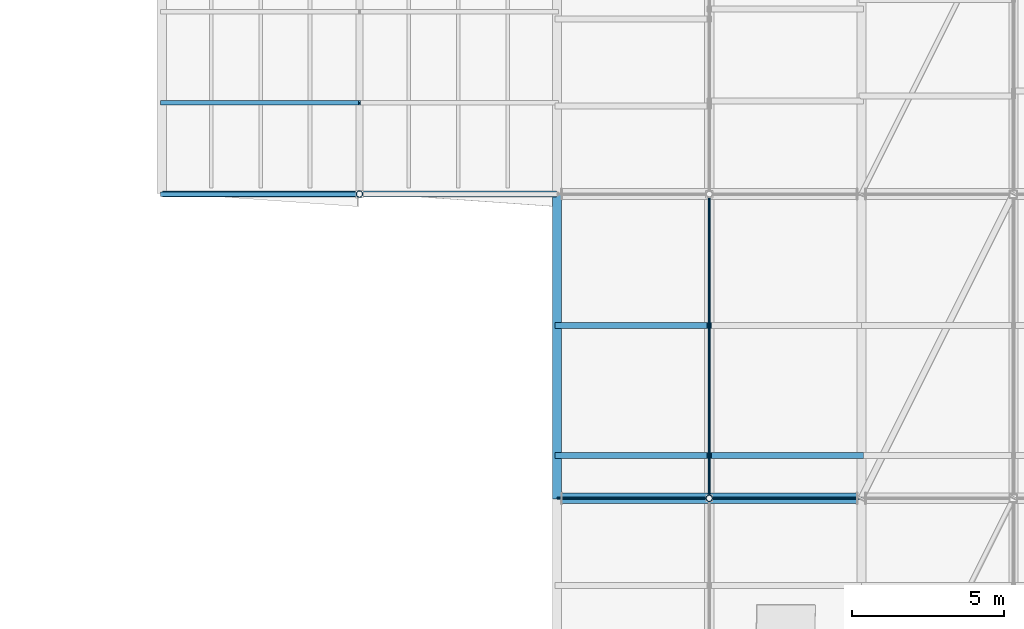
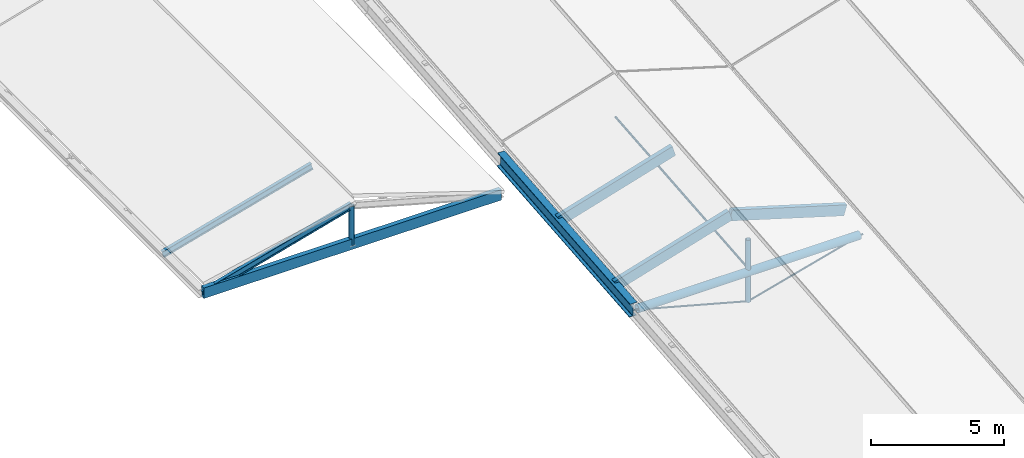
# One storey, part 10 of 90: 10 members, 3 beams.
"""IFC4 building model written with IfcOpenShell, lengths in metres."""

from ifc_helpers import new_model, si_unit, direction, frame, origin, origin_2d, place, context, subcontext, project, spatial, rectangle, circle, hollow_circle, i_section, extrude, material, material_profile, profile_set, type_object, element, save


model = new_model("IFC4")

# Units and contexts
model_context = context("Model", 3, precision=1e-05, world=origin(), true_north=direction((0.0, 1.0)))
body_context = subcontext(model_context, "Body", "Model", "MODEL_VIEW")
ifc_project = project(units=[si_unit("LENGTHUNIT", "METRE"), si_unit("AREAUNIT", "SQUARE_METRE"), si_unit("VOLUMEUNIT", "CUBIC_METRE"), si_unit("PLANEANGLEUNIT", "RADIAN"), si_unit("MASSUNIT", "GRAM", prefix="KILO"), si_unit("THERMODYNAMICTEMPERATUREUNIT", "KELVIN"), si_unit("POWERUNIT", "WATT")], contexts=[model_context])

# Site, building, storey
site_placement = place(None, origin())
site = spatial("IfcSite", under=ifc_project, at=site_placement, CompositionType="ELEMENT")
building_placement = place(site_placement, origin())
building = spatial("IfcBuilding", under=site, at=building_placement, Name="Korenveer Ferry Terminal", CompositionType="ELEMENT")
storey_placement = place(building_placement, frame((0.0, 0.0, 22.199951171875)))
storey = spatial("IfcBuildingStorey", under=building, at=storey_placement, Name="RF", CompositionType="ELEMENT", Elevation=22.199951171875)

# Beam
ifc_material_1 = material(Name="Steel S355", Category="steel")
ifc_material_profile_1 = material_profile(ifc_material_1, i_section(OverallWidth=0.300048828125, OverallDepth=0.64990234375, WebThickness=0.01611328125, FlangeThickness=0.031005859375, FilletRadius=0.027099609375, at=origin_2d()), Name="HEB 650")
ifc_profile_set_1 = profile_set([ifc_material_profile_1], Name="Steel S355")
beam_type_1 = type_object("IfcBeamType", Name="STR-BM-HEB650", PredefinedType="BEAM", material=ifc_profile_set_1)
beam_1_placement = place(storey_placement, frame((53.0, 70.0, -6.861572265625), z_axis=(0.0, 0.995903364261, 0.090423940715), x_axis=(-1.0, 0.0, 0.0)))
element("IfcBeam", 1, at=beam_1_placement, inside=storey, type_object=beam_type_1, Name="Folded roof valley girder 20", PredefinedType="BEAM", context=body_context, shape_type="SweptSolid", body=[
    extrude(i_section(OverallWidth=0.300048828125, OverallDepth=0.64990234375, WebThickness=0.01611328125, FlangeThickness=0.031005859375, FilletRadius=0.027099609375, at=origin_2d()), origin(), (0.0, 0.0, 1.0), 10.041015625),
])

# Members
ifc_material_2 = material(Name="High-strength steel S460", Category="steel")
ifc_material_profile_2 = material_profile(ifc_material_2, circle(Radius=0.0380859375, at=origin_2d()), Name="ROD D76")
ifc_profile_set_2 = profile_set([ifc_material_profile_2], Name="High-strength steel S460")
member_type_1 = type_object("IfcMemberType", Name="STR-CBL-D76", PredefinedType="USERDEFINED", material=ifc_profile_set_2)
for number, where, z_axis, x_axis, name in (
    (2, (53.0, 70.0, -6.861572265625), (0.965424337217, 0.0, -0.260683426993), (0.0, 1.0, 0.0), "Roof tension tie cable 43"),
    (3, (63.0, 70.0, -6.861572265625), (-0.965424337217, 0.0, -0.260683426993), (0.0, -1.0, 0.0), "Roof tension tie cable 44"),
):
    element("IfcMember", number, at=place(storey_placement, frame(where, z_axis=z_axis, x_axis=x_axis)), inside=storey, type_object=member_type_1, Name=name, ObjectType="CABLE", PredefinedType="USERDEFINED", context=body_context, shape_type="SweptSolid", body=[
        extrude(circle(Radius=0.0380859375, at=origin_2d()), origin(), (0.0, 0.0, 1.0), 5.178955078125),
    ])
ifc_material_profile_3 = material_profile(ifc_material_2, circle(Radius=0.044921875, at=origin_2d()), Name="ROD D90")
ifc_profile_set_3 = profile_set([ifc_material_profile_3], Name="High-strength steel S460")
member_type_2 = type_object("IfcMemberType", Name="STR-CBL-D90", PredefinedType="USERDEFINED", material=ifc_profile_set_3)
member_1_placement = place(storey_placement, frame((58.0, 70.0, -6.701904296875), z_axis=(0.0, 0.995903364261, 0.090423940715), x_axis=(-1.0, 0.0, 0.0)))
element("IfcMember", 4, at=member_1_placement, inside=storey, type_object=member_type_2, Name="Longitudinal jaw-stay cable 101", ObjectType="CABLE", PredefinedType="USERDEFINED", context=body_context, shape_type="SweptSolid", body=[
    extrude(circle(Radius=0.044921875, at=origin_2d()), origin(), (0.0, 0.0, 1.0), 10.041015625),
])
ifc_material_3 = material(Name="Glulam GL28h", Category="wood")
ifc_material_profile_4 = material_profile(ifc_material_3, rectangle(XDim=0.199951171875, YDim=0.47998046875, at=origin_2d()), Name="GL 200x480")
ifc_profile_set_4 = profile_set([ifc_material_profile_4], Name="Glulam GL28h")
member_type_3 = type_object("IfcMemberType", Name="STR-PUR-GL200", PredefinedType="PURLIN", material=ifc_profile_set_4)
for number, where, z_axis, x_axis, name in (
    (5, (53.0, 71.4072265625, -6.575439453125), (0.957323074362, 0.0, 0.289019949647), (0.0, 1.0, 0.0), "Folded roof glulam purlin 17"),
    (6, (53.0, 75.678466796875, -6.187744140625), (0.957310140112, 0.0, 0.289062788401), (0.0, 1.0, 0.0), "Folded roof glulam purlin 18"),
    (7, (58.0, 71.4072265625, -5.06591796875), (0.957323074362, 0.0, -0.289019949647), (0.0, 1.0, 0.0), "Folded roof glulam purlin 23"),
):
    element("IfcMember", number, at=place(storey_placement, frame(where, z_axis=z_axis, x_axis=x_axis)), inside=storey, type_object=member_type_3, Name=name, PredefinedType="PURLIN", context=body_context, shape_type="SweptSolid", body=[
        extrude(rectangle(XDim=0.199951171875, YDim=0.47998046875, at=origin_2d()), origin(), (0.0, 0.0, 1.0), 5.222900390625),
    ])
ifc_material_profile_5 = material_profile(ifc_material_1, i_section(OverallWidth=0.14990234375, OverallDepth=0.300048828125, WebThickness=0.007080078125, FlangeThickness=0.0107421875, FilletRadius=0.014892578125, at=origin_2d()), Name="IPE 300")
ifc_profile_set_5 = profile_set([ifc_material_profile_5], Name="Steel S355")
member_type_4 = type_object("IfcMemberType", Name="STR-RAF-IPE300", PredefinedType="RAFTER", material=ifc_profile_set_5)
for number, where, z_axis, x_axis, name in (
    (8, (40.0, 80.0, -7.619873046875), (0.963737469599, 0.0, 0.26685218697), (0.0, 1.0, 0.0), "Pitched roof rafter 129"),
    (9, (40.0, 83.0, -7.619873046875), (0.963737469599, 0.0, 0.26685218697), (0.0, 1.0, 0.0), "Pitched roof rafter 131"),
):
    element("IfcMember", number, at=place(storey_placement, frame(where, z_axis=z_axis, x_axis=x_axis)), inside=storey, type_object=member_type_4, Name=name, PredefinedType="RAFTER", context=body_context, shape_type="SweptSolid", body=[
        extrude(i_section(OverallWidth=0.14990234375, OverallDepth=0.300048828125, WebThickness=0.007080078125, FlangeThickness=0.0107421875, FilletRadius=0.014892578125, at=origin_2d()), origin(), (0.0, 0.0, 1.0), 6.74462890625),
    ])

# Beams
ifc_material_profile_6 = material_profile(ifc_material_1, hollow_circle(Radius=0.177734375, WallThickness=0.01611328125, at=origin_2d()), Name="CHS 355.6x16")
ifc_profile_set_6 = profile_set([ifc_material_profile_6], Name="Steel S355")
beam_type_2 = type_object("IfcBeamType", Name="STR-RFG-CHS355", PredefinedType="USERDEFINED", material=ifc_profile_set_6)
beam_2_placement = place(storey_placement, frame((53.159912109375, 70.0, -6.861572265625), z_axis=(1.0, 0.0, 0.0), x_axis=(0.0, 1.0, 0.0)))
element("IfcBeam", 10, at=beam_2_placement, inside=storey, type_object=beam_type_2, Name="Roof transverse tie girder 110", ObjectType="ROOF GIRDER", PredefinedType="USERDEFINED", context=body_context, shape_type="SweptSolid", body=[
    extrude(hollow_circle(Radius=0.177734375, WallThickness=0.01611328125, at=origin_2d()), origin(), (0.0, 0.0, 1.0), 9.68017578125),
])
ifc_material_profile_7 = material_profile(ifc_material_3, rectangle(XDim=0.199951171875, YDim=0.47998046875, at=origin_2d()), Name="GL 200x480")
ifc_profile_set_7 = profile_set([ifc_material_profile_7], Name="Glulam GL28h")
beam_type_3 = type_object("IfcBeamType", Name="STR-RFG-GL200", PredefinedType="USERDEFINED", material=ifc_profile_set_7)
beam_3_placement = place(storey_placement, frame((40.02001953125, 80.0, -7.56005859375), z_axis=(1.0, 0.0, 0.0), x_axis=(0.0, 1.0, 0.0)))
element("IfcBeam", 11, at=beam_3_placement, inside=storey, type_object=beam_type_3, Name="Wing roof collar tie PIERW 200", ObjectType="ROOF GIRDER", PredefinedType="USERDEFINED", context=body_context, shape_type="SweptSolid", body=[
    extrude(rectangle(XDim=0.199951171875, YDim=0.47998046875, at=origin_2d()), origin(), (0.0, 0.0, 1.0), 12.9599609375),
])

# Members
ifc_material_profile_8 = material_profile(ifc_material_1, hollow_circle(Radius=0.109619140625, WallThickness=0.012451171875, at=origin_2d()), Name="CHS 219.1x12.5")
ifc_profile_set_8 = profile_set([ifc_material_profile_8], Name="Steel S355")
member_type_5 = type_object("IfcMemberType", Name="STR-STT-CHS219", PredefinedType="STRUT", material=ifc_profile_set_8)
member_2_placement = place(storey_placement, frame((58.0, 70.0, -8.211669921875), z_axis=(0.0, 0.0, 1.0), x_axis=(1.0, 0.0, 0.0)))
element("IfcMember", 12, at=member_2_placement, inside=storey, type_object=member_type_5, Name="Roof king-post strut STTKP-Y70-B0", PredefinedType="STRUT", context=body_context, shape_type="SweptSolid", body=[
    extrude(hollow_circle(Radius=0.109619140625, WallThickness=0.012451171875, at=origin_2d()), origin(), (0.0, 0.0, 1.0), 2.859619140625),
])
member_3_placement = place(storey_placement, frame((46.5, 80.0, -7.619873046875), z_axis=(0.0, 0.0, 1.0), x_axis=(1.0, 0.0, 0.0)))
element("IfcMember", 13, at=member_3_placement, inside=storey, type_object=member_type_5, Name="Wing ridge strut STTWR-PIERW-Y80", PredefinedType="STRUT", context=body_context, shape_type="SweptSolid", body=[
    extrude(hollow_circle(Radius=0.109619140625, WallThickness=0.012451171875, at=origin_2d()), origin(), (0.0, 0.0, 1.0), 1.7998046875),
])

save(model, "model.ifc")
